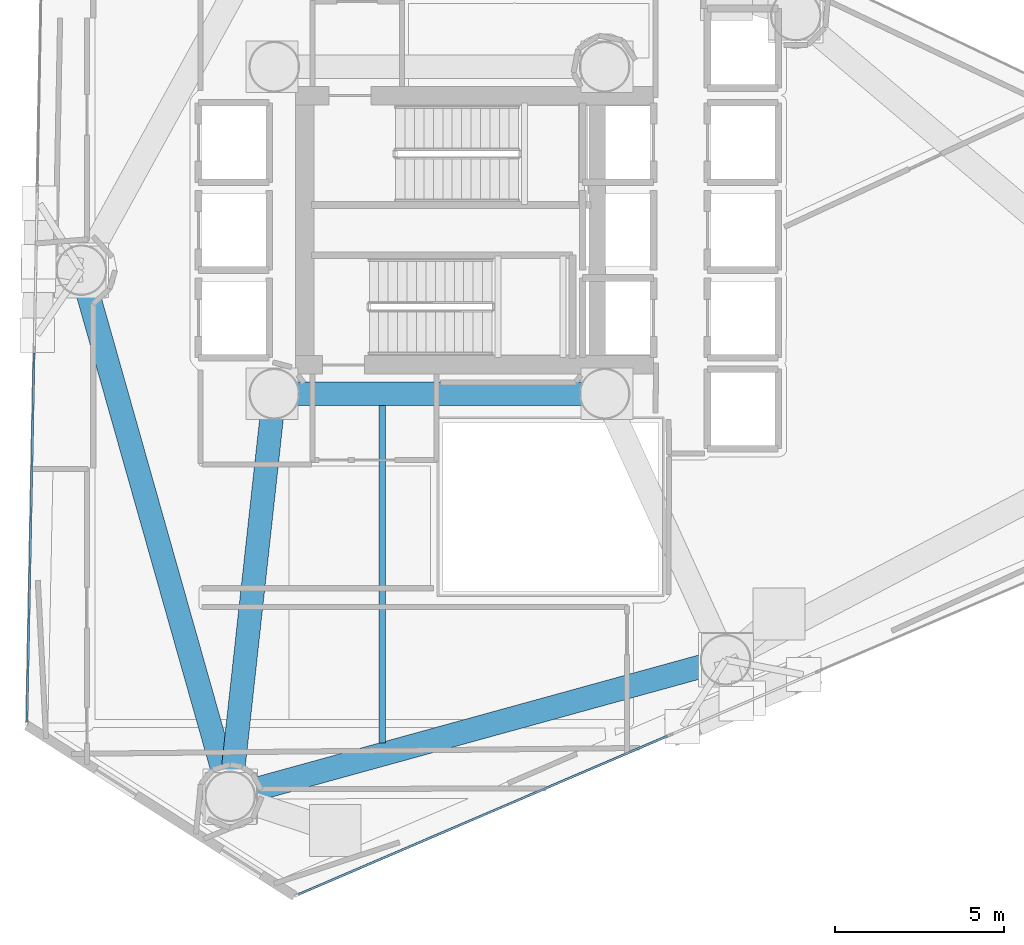
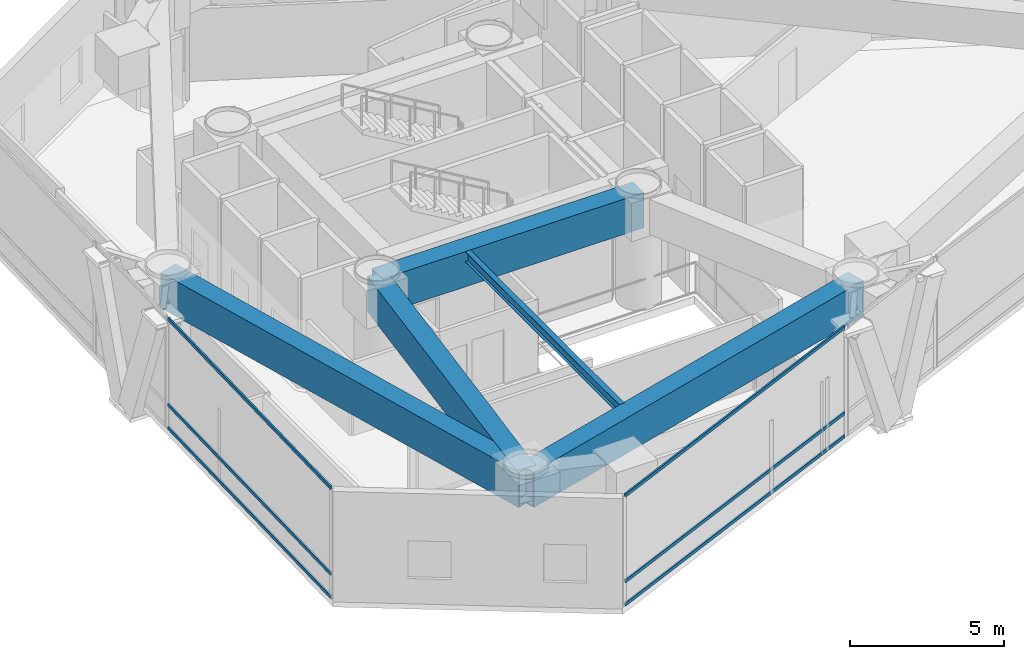
# One storey, part 3 of 22: 6 members, 5 beams, 2 elements without a shape of their own.
"""IFC4 building model written with IfcOpenShell, lengths in metres."""

from ifc_helpers import new_model, si_unit, direction, frame, origin, origin_2d, place, context, subcontext, project, spatial, hollow_rectangle, i_section, extrude, material, layer, layer_set, material_profile, profile_set, type_object, element, aggregate, save


model = new_model("IFC4")

# Units and contexts
model_context = context("Model", 3, precision=1e-05, world=origin(), true_north=direction((0.0, 1.0)))
body_context = subcontext(model_context, "Body", "Model", "MODEL_VIEW")
ifc_project = project(units=[si_unit("LENGTHUNIT", "METRE"), si_unit("AREAUNIT", "SQUARE_METRE"), si_unit("VOLUMEUNIT", "CUBIC_METRE"), si_unit("PLANEANGLEUNIT", "RADIAN"), si_unit("MASSUNIT", "GRAM", prefix="KILO")], contexts=[model_context])

# Site, building, storey
site_placement = place(None, origin())
site = spatial("IfcSite", under=ifc_project, at=site_placement, CompositionType="ELEMENT")
building_placement = place(site_placement, origin())
building = spatial("IfcBuilding", under=site, at=building_placement, Name="Qianvela Tower", CompositionType="ELEMENT")
storey_placement = place(building_placement, frame((0.0, 0.0, 138.5)))
storey = spatial("IfcBuildingStorey", under=building, at=storey_placement, Name="L35", CompositionType="ELEMENT", Elevation=138.5)

# Beams
ifc_material_1 = material(Name="Steel Q355B", Category="steel")
ifc_material_profile_1 = material_profile(ifc_material_1, i_section(OverallWidth=0.199951171875, OverallDepth=0.39990234375, WebThickness=0.008056640625, FlangeThickness=0.012939453125, at=origin_2d()), Name="HN400x200x8x13")
ifc_profile_set_1 = profile_set([ifc_material_profile_1], Name="Steel Q355B")
beam_type_1 = type_object("IfcBeamType", Name="BM-HN400-JOIST", PredefinedType="JOIST", material=ifc_profile_set_1)
beam_1_placement = place(storey_placement, frame((31.800048828125, 13.49658203125, 4.177978515625), z_axis=(0.0, 1.0, 0.0), x_axis=(-1.0, 0.0, 0.0)))
element("IfcBeam", 1, at=beam_1_placement, inside=storey, type_object=beam_type_1, Name="L35 Bay Secondary Floor Joist 1", PredefinedType="JOIST", context=body_context, shape_type="SweptSolid", body=[
    extrude(i_section(OverallWidth=0.199951171875, OverallDepth=0.39990234375, WebThickness=0.008056640625, FlangeThickness=0.012939453125, at=origin_2d()), origin(), (0.0, 0.0, 1.0), 10.00732421875),
])
ifc_material_2 = material(Name="Steel Q420GJC", Category="steel")
ifc_material_profile_2 = material_profile(ifc_material_2, hollow_rectangle(XDim=0.699951171875, YDim=1.39990234375, WallThickness=0.0400390625, at=origin_2d()), Name="TG-BOX-1400x700x40")
ifc_profile_set_2 = profile_set([ifc_material_profile_2], Name="Steel Q420GJC")
beam_type_2 = type_object("IfcBeamType", Name="BM-TG-RAD-1400", PredefinedType="BEAM", material=ifc_profile_set_2)
beam_2_placement = place(storey_placement, frame((28.60009765625, 23.85009765625, 3.677978515625), z_axis=(1.0, 0.0, 0.0), x_axis=(0.0, 1.0, 0.0)))
element("IfcBeam", 2, at=beam_2_placement, inside=storey, type_object=beam_type_2, Name="L35 Core Ring Transfer Girder 1", PredefinedType="BEAM", context=body_context, shape_type="SweptSolid", body=[
    extrude(hollow_rectangle(XDim=0.699951171875, YDim=1.39990234375, WallThickness=0.0400390625, at=origin_2d()), origin(), (0.0, 0.0, 1.0), 9.7998046875),
])
beam_3_placement = place(storey_placement, frame((22.8779296875, 27.51611328125, 3.677978515625), z_axis=(0.272147602289, -0.962255518336, 0.0), x_axis=(0.962255518336, 0.272147602289, 0.0)))
element("IfcBeam", 3, at=beam_3_placement, inside=storey, type_object=beam_type_2, Name="L35 Perimeter Belt-Truss Top Ring Girder 4", PredefinedType="BEAM", context=body_context, shape_type="SweptSolid", body=[
    extrude(hollow_rectangle(XDim=0.699951171875, YDim=1.39990234375, WallThickness=0.0400390625, at=origin_2d()), origin(), (0.0, 0.0, 1.0), 16.219482421875),
])
beam_4_placement = place(storey_placement, frame((27.2919921875, 11.908935546875, 3.677978515625), z_axis=(0.964093212083, 0.265564075912, 0.0), x_axis=(-0.265564075912, 0.964093212083, 0.0)))
element("IfcBeam", 4, at=beam_4_placement, inside=storey, type_object=beam_type_2, Name="L35 Perimeter Belt-Truss Top Ring Girder 5", PredefinedType="BEAM", context=body_context, shape_type="SweptSolid", body=[
    extrude(hollow_rectangle(XDim=0.699951171875, YDim=1.39990234375, WallThickness=0.0400390625, at=origin_2d()), origin(), (0.0, 0.0, 1.0), 15.243408203125),
])
beam_5_placement = place(storey_placement, frame((28.60009765625, 23.85009765625, 3.677978515625), z_axis=(-0.108894474914, -0.994053315136, 0.0), x_axis=(0.994053315136, -0.108894474914, 0.0)))
element("IfcBeam", 5, at=beam_5_placement, inside=storey, type_object=beam_type_2, Name="L35 Radial Outrigger Top Transfer Girder 5", PredefinedType="BEAM", context=body_context, shape_type="SweptSolid", body=[
    extrude(hollow_rectangle(XDim=0.699951171875, YDim=1.39990234375, WallThickness=0.0400390625, at=origin_2d()), origin(), (0.0, 0.0, 1.0), 12.0126953125),
])

# Curtain wall, members
ifc_material_3 = material(Name="Anodised Architectural Aluminium and Low-E Glass", Category="aluminium")
ifc_layer = layer(ifc_material_3, 0.169921875)
ifc_layer_set = layer_set([ifc_layer], Name="Anodised Architectural Aluminium and Low-E Glass")
curtain_wall_type = type_object("IfcCurtainWallType", Name="CW-COLIV-Z34", PredefinedType="USERDEFINED", material=ifc_layer_set)
curtain_wall_1_placement = place(storey_placement, origin())
curtain_wall_1 = element("IfcCurtainWall", 6, at=curtain_wall_1_placement, inside=storey, type_object=curtain_wall_type, Name="L35 CW-COLIV-Z34 Curtain Wall 04C", ObjectType="CURTAIN_WALL_SYSTEM", PredefinedType="USERDEFINED")
ifc_material_4 = material(Name="Anodised Architectural Aluminium 6063-T6", Category="aluminium")
ifc_material_profile_3 = material_profile(ifc_material_4, hollow_rectangle(XDim=0.06494140625, YDim=0.1298828125, WallThickness=0.00439453125, at=origin_2d()), Name="ALU-TRAN-65x130")
ifc_profile_set_3 = profile_set([ifc_material_profile_3], Name="Anodised Architectural Aluminium 6063-T6")
member_type = type_object("IfcMemberType", Name="CW-COLIV-Z34-TRAN", PredefinedType="USERDEFINED", material=ifc_profile_set_3)
member_1_placement = place(storey_placement, frame((21.478271484375, 25.06201171875, 0.032470703125), z_axis=(-0.019552452054, -0.999808832537, 0.0), x_axis=(0.999808832537, -0.019552452054, 0.0)))
member_1 = element("IfcMember", 7, at=member_1_placement, type_object=member_type, Name="CW-4 transom 1.1", ObjectType="TRANSOM", PredefinedType="USERDEFINED", context=body_context, shape_type="SweptSolid", body=[
    extrude(hollow_rectangle(XDim=0.06494140625, YDim=0.1298828125, WallThickness=0.00439453125, at=origin_2d()), origin(), (0.0, 0.0, 1.0), 10.938232421875),
])
member_2_placement = place(storey_placement, frame((21.478271484375, 25.06201171875, 0.949951171875), z_axis=(-0.019552452054, -0.999808832537, 0.0), x_axis=(0.999808832537, -0.019552452054, 0.0)))
member_2 = element("IfcMember", 8, at=member_2_placement, type_object=member_type, Name="CW-4 transom 1.2", ObjectType="TRANSOM", PredefinedType="USERDEFINED", context=body_context, shape_type="SweptSolid", body=[
    extrude(hollow_rectangle(XDim=0.06494140625, YDim=0.1298828125, WallThickness=0.00439453125, at=origin_2d()), origin(), (0.0, 0.0, 1.0), 10.938232421875),
])
member_3_placement = place(storey_placement, frame((21.478271484375, 25.06201171875, 4.347412109375), z_axis=(-0.019552452054, -0.999808832537, 0.0), x_axis=(0.999808832537, -0.019552452054, 0.0)))
member_3 = element("IfcMember", 9, at=member_3_placement, type_object=member_type, Name="CW-4 transom 1.3", ObjectType="TRANSOM", PredefinedType="USERDEFINED", context=body_context, shape_type="SweptSolid", body=[
    extrude(hollow_rectangle(XDim=0.06494140625, YDim=0.1298828125, WallThickness=0.00439453125, at=origin_2d()), origin(), (0.0, 0.0, 1.0), 10.938232421875),
])
aggregate(curtain_wall_1, [member_1, member_2, member_3])

curtain_wall_2_placement = place(storey_placement, origin())
curtain_wall_2 = element("IfcCurtainWall", 10, at=curtain_wall_2_placement, inside=storey, type_object=curtain_wall_type, Name="L35 CW-COLIV-Z34 Curtain Wall 06A", ObjectType="CURTAIN_WALL_SYSTEM", PredefinedType="USERDEFINED")
member_4_placement = place(storey_placement, frame((29.311279296875, 8.99462890625, 0.032470703125), z_axis=(0.918904173093, 0.394480824213, 0.0), x_axis=(-0.394480824213, 0.918904173093, 0.0)))
member_4 = element("IfcMember", 11, at=member_4_placement, type_object=member_type, Name="CW-4 transom 1.1", ObjectType="TRANSOM", PredefinedType="USERDEFINED", context=body_context, shape_type="SweptSolid", body=[
    extrude(hollow_rectangle(XDim=0.06494140625, YDim=0.1298828125, WallThickness=0.00439453125, at=origin_2d()), origin(), (0.0, 0.0, 1.0), 11.909912109375),
])
member_5_placement = place(storey_placement, frame((29.311279296875, 8.99462890625, 0.949951171875), z_axis=(0.918904173093, 0.394480824213, 0.0), x_axis=(-0.394480824213, 0.918904173093, 0.0)))
member_5 = element("IfcMember", 12, at=member_5_placement, type_object=member_type, Name="CW-4 transom 1.2", ObjectType="TRANSOM", PredefinedType="USERDEFINED", context=body_context, shape_type="SweptSolid", body=[
    extrude(hollow_rectangle(XDim=0.06494140625, YDim=0.1298828125, WallThickness=0.00439453125, at=origin_2d()), origin(), (0.0, 0.0, 1.0), 11.909912109375),
])
member_6_placement = place(storey_placement, frame((29.311279296875, 8.99462890625, 4.347412109375), z_axis=(0.918904173093, 0.394480824213, 0.0), x_axis=(-0.394480824213, 0.918904173093, 0.0)))
member_6 = element("IfcMember", 13, at=member_6_placement, type_object=member_type, Name="CW-4 transom 1.3", ObjectType="TRANSOM", PredefinedType="USERDEFINED", context=body_context, shape_type="SweptSolid", body=[
    extrude(hollow_rectangle(XDim=0.06494140625, YDim=0.1298828125, WallThickness=0.00439453125, at=origin_2d()), origin(), (0.0, 0.0, 1.0), 11.909912109375),
])
aggregate(curtain_wall_2, [member_4, member_5, member_6])

save(model, "model.ifc")
